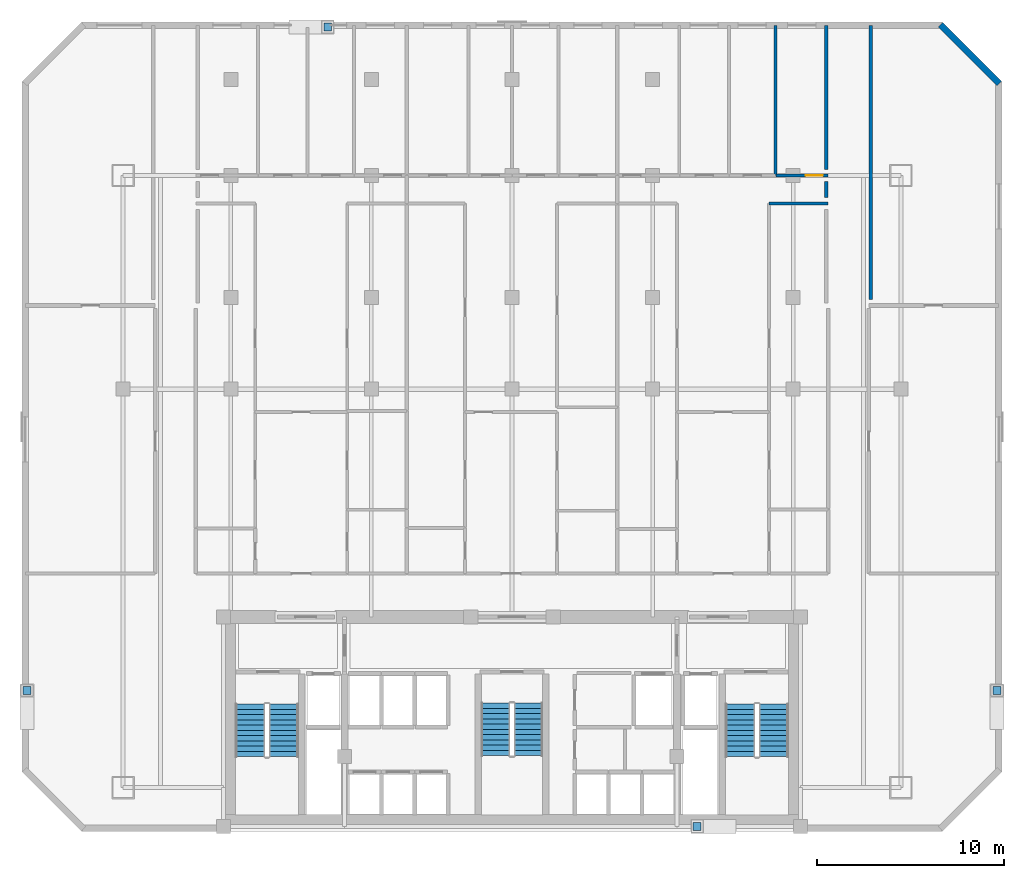
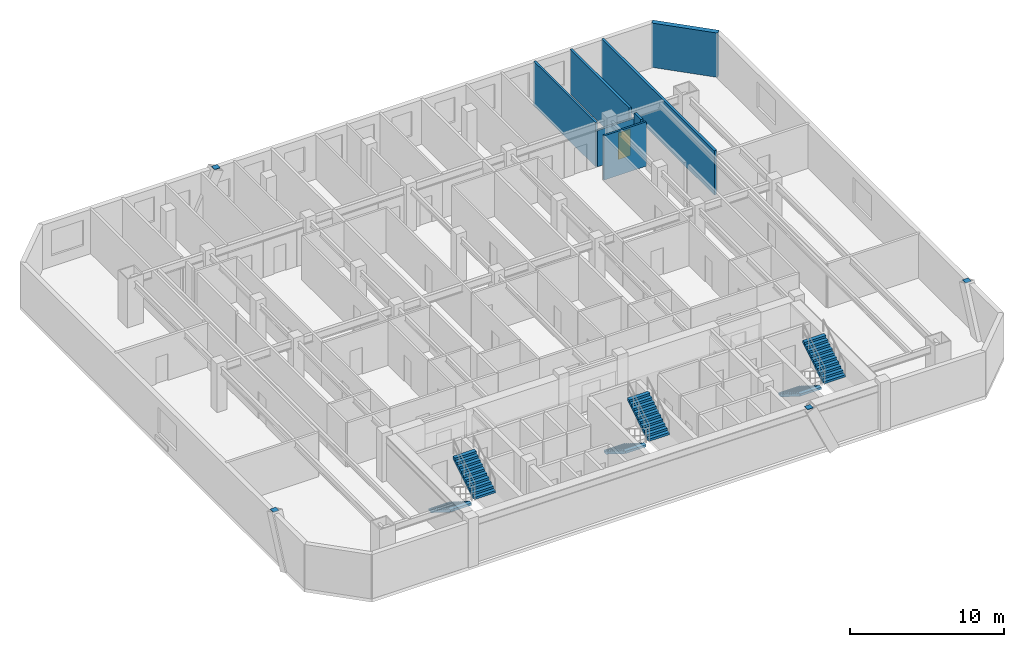
# One storey, part 7 of 8: 7 walls, 6 stair flights, 4 discrete accessories, 1 door, 1 opening, 3 elements without a shape of their own.
"""IFC4 building model written with IfcOpenShell, lengths in metres."""

from ifc_helpers import new_model, si_unit, direction, frame, frame_2d, origin, origin_2d, place, context, subcontext, project, spatial, polyline, rectangle, outline, extrude, material, layer, layer_set, type_object, element, fill, aggregate, save


model = new_model("IFC4")

# Units and contexts
model_context = context("Model", 3, precision=1e-05, world=origin(), true_north=direction((0.0, 1.0)))
body_context = subcontext(model_context, "Body", "Model", "MODEL_VIEW")
ifc_project = project(units=[si_unit("LENGTHUNIT", "METRE"), si_unit("AREAUNIT", "SQUARE_METRE"), si_unit("VOLUMEUNIT", "CUBIC_METRE"), si_unit("PLANEANGLEUNIT", "RADIAN"), si_unit("MASSUNIT", "GRAM", prefix="KILO")], contexts=[model_context])

# Site, building, storey
site_placement = place(None, origin())
site = spatial("IfcSite", under=ifc_project, at=site_placement, CompositionType="ELEMENT")
building_placement = place(site_placement, origin())
building = spatial("IfcBuilding", under=site, at=building_placement, Name="Ventersveld Concourse Tower", CompositionType="ELEMENT")
storey_placement = place(building_placement, frame((0.0, 0.0, 131.10009765625)))
storey = spatial("IfcBuildingStorey", under=building, at=storey_placement, Name="L32", CompositionType="ELEMENT", Elevation=131.10009765625)

# Walls
ifc_material_1 = material(Name="Fire-rated autoclaved aerated masonry blockwork", Category="masonry")
ifc_layer_1 = layer(ifc_material_1, 0.179931640625)
ifc_layer_set_1 = layer_set([ifc_layer_1], Name="Fire-rated autoclaved aerated masonry blockwork")
wall_type_1 = type_object("IfcWallType", Name="WL-CORR-180", PredefinedType="PARTITIONING", material=ifc_layer_set_1)
wall_1_placement = place(storey_placement, frame((47.8798828125, 28.39501953125, 0.0), z_axis=(0.0, 0.0, 1.0), x_axis=(0.0, 1.0, 0.0)))
element("IfcWall", 1, at=wall_1_placement, inside=storey, type_object=wall_type_1, Name="L32 Room Enclosure Wall SP-L32-NELNG2", PredefinedType="PARTITIONING", context=body_context, shape_type="SweptSolid", body=[
    extrude(rectangle(XDim=14.594970703125, YDim=0.179931640625, at=frame_2d((7.29736328125, 0.0))), origin(), (0.0, 0.0, 1.0), 3.5),
])
wall_2_placement = place(storey_placement, frame((45.52001953125, 34.675048828125, 0.0), z_axis=(0.0, 0.0, 1.0), x_axis=(0.0, -1.0, 0.0)))
element("IfcWall", 2, at=wall_2_placement, inside=storey, type_object=wall_type_1, Name="L32 Room Enclosure Wall SP-L32-32N3-LIV", PredefinedType="PARTITIONING", context=body_context, shape_type="SweptSolid", body=[
    extrude(rectangle(XDim=0.85009765625, YDim=0.179931640625, at=frame_2d((0.425048828125, 0.0))), origin(), (0.0, 0.0, 1.0), 3.5),
])
wall_3_placement = place(storey_placement, frame((45.52001953125, 42.989990234375, 0.0), z_axis=(0.0, 0.0, 1.0), x_axis=(0.0, -1.0, 0.0)))
element("IfcWall", 3, at=wall_3_placement, inside=storey, type_object=wall_type_1, Name="L32 Room Enclosure Wall SP-L32-32N3-BR4", PredefinedType="PARTITIONING", context=body_context, shape_type="SweptSolid", body=[
    extrude(rectangle(XDim=7.6650390625, YDim=0.179931640625, at=frame_2d((3.83251953125, 0.0))), origin(), (0.0, 0.0, 1.0), 3.5),
])
ifc_material_2 = material(Name="Autoclaved aerated masonry blockwork", Category="masonry")
ifc_layer_2 = layer(ifc_material_2, 0.14990234375)
ifc_layer_set_2 = layer_set([ifc_layer_2], Name="Autoclaved aerated masonry blockwork")
wall_type_2 = type_object("IfcWallType", Name="WL-INT-150", PredefinedType="PARTITIONING", material=ifc_layer_set_2)
wall_4_placement = place(storey_placement, frame((42.4619140625, 33.5, 0.0), z_axis=(0.0, 0.0, 1.0), x_axis=(1.0, 0.0, 0.0)))
element("IfcWall", 4, at=wall_4_placement, inside=storey, type_object=wall_type_2, Name="L32 Interior Partition SP-L32-32N3-LIV-SP-L32-32N3-DENR", PredefinedType="PARTITIONING", context=body_context, shape_type="SweptSolid", body=[
    extrude(rectangle(XDim=3.153076171875, YDim=0.14990234375, at=frame_2d((1.57666015625, 0.0))), origin(), (0.0, 0.0, 1.0), 3.5),
])

# Wall, opening, door
wall_5_placement = place(storey_placement, frame((42.8349609375, 35.0, 0.0), z_axis=(0.0, 0.0, 1.0), x_axis=(1.0, 0.0, 0.0)))
wall_5 = element("IfcWall", 5, at=wall_5_placement, inside=storey, type_object=wall_type_2, Name="L32 Interior Partition SP-L32-32N3-LIV-SP-L32-32N3-BR4", PredefinedType="PARTITIONING", context=body_context, shape_type="SweptSolid", body=[
    extrude(rectangle(XDim=2.780029296875, YDim=0.14990234375, at=frame_2d((1.39013671875, 0.0))), origin(), (0.0, 0.0, 1.0), 2.8828125),
])
opening_placement = place(wall_5_placement, frame((1.580078125, 0.0, 0.0)))
opening = element("IfcOpeningElement", 6, at=opening_placement, cuts=wall_5, Name="Opening ID1", PredefinedType="OPENING", context=body_context, shape_type="SweptSolid", body=[
    extrude(rectangle(XDim=0.919921875, YDim=2.10009765625, at=frame_2d((0.4599609375, 1.050048828125))), frame((0.0, 0.0849609375, 0.0), z_axis=(0.0, -1.0, 0.0), x_axis=(1.0, 0.0, 0.0)), (0.0, 0.0, 1.0), 0.169921875),
])
ifc_material_3 = material(Name="Solid-core hardwood veneer timber", Category="wood")
door_type = type_object("IfcDoorType", Name="DR-ROOM-092", OperationType="NOTDEFINED", PredefinedType="DOOR", material=ifc_material_3)
door_placement = place(opening_placement, origin())
door = element("IfcDoor", 7, at=door_placement, inside=storey, type_object=door_type, Name="L32 Interior Door SP-L32-32N3-LIV to SP-L32-32N3-BR4 (D-L32-1633)", OperationType="SINGLE_SWING_LEFT", OverallHeight=2.10009765625, OverallWidth=0.919921875, PredefinedType="DOOR", context=body_context, shape_type="SweptSolid", body=[
    extrude(rectangle(XDim=0.919921875, YDim=2.10009765625, at=frame_2d((0.4599609375, 1.050048828125))), frame((0.0, 0.02490234375, 0.0), z_axis=(0.0, -1.0, 0.0), x_axis=(1.0, 0.0, 0.0)), (0.0, 0.0, 1.0), 0.050048828125),
])
fill(opening, door)

# Walls
wall_6_placement = place(storey_placement, frame((42.800048828125, 34.9951171875, 0.0), z_axis=(0.0, 0.0, 1.0), x_axis=(0.0, 1.0, 0.0)))
element("IfcWall", 8, at=wall_6_placement, inside=storey, type_object=wall_type_2, Name="L32 Interior Partition SP-L32-32N3-BR3-SP-L32-32N3-BR4", PredefinedType="PARTITIONING", context=body_context, shape_type="SweptSolid", body=[
    extrude(rectangle(XDim=7.994873046875, YDim=0.14990234375, at=frame_2d((3.99755859375, 0.0))), origin(), (0.0, 0.0, 1.0), 3.5),
])
ifc_material_4 = material(Name="Precast concrete C45/55", Category="concrete")
ifc_layer_3 = layer(ifc_material_4, 0.35009765625)
ifc_layer_set_3 = layer_set([ifc_layer_3], Name="Precast concrete C45/55")
wall_type_3 = type_object("IfcWallType", Name="WL-PREC-350", PredefinedType="SOLIDWALL", material=ifc_layer_set_3)
wall_7_placement = place(storey_placement, frame((54.748046875, 39.904541015625, 0.0), z_axis=(0.0, 0.0, 1.0), x_axis=(-0.707106781187, 0.707106781187, 0.0)))
element("IfcWall", 9, at=wall_7_placement, inside=storey, type_object=wall_type_3, Name="L32 Highveld Precast Facade Wall E04", PredefinedType="SOLIDWALL", context=body_context, shape_type="SweptSolid", body=[
    extrude(rectangle(XDim=4.445556640625, YDim=0.35009765625, at=frame_2d((2.22265625, 0.0))), origin(), (0.0, 0.0, 1.0), 3.5),
])

# Stair, stair flights
ifc_material_5 = material(Name="Concrete C50/60", Category="concrete")
stair_type_1 = type_object("IfcStairType", Name="ST-DOG-155", PredefinedType="HALF_TURN_STAIR", material=ifc_material_5)
stair_1_placement = place(storey_placement, origin())
stair_1 = element("IfcStair", 10, at=stair_1_placement, inside=storey, type_object=stair_type_1, Name="L32 Protected Central Core Escape Stair ST-03", PredefinedType="HALF_TURN_STAIR")
stair_flight_type_1 = type_object("IfcStairFlightType", Name="STF-RC-155", PredefinedType="STRAIGHT", material=ifc_material_5)
stair_flight_1_placement = place(storey_placement, frame((27.875, 6.85009765625, 0.0), z_axis=(0.0, 0.0, 1.0), x_axis=(0.0, -1.0, 0.0)))
stair_flight_1 = element("IfcStairFlight", 11, at=stair_flight_1_placement, type_object=stair_flight_type_1, Name="ST-03 flight 1", NumberOfRisers=11, NumberOfTreads=10, PredefinedType="STRAIGHT", RiserHeight=0.175, TreadLength=0.28, context=body_context, shape_type="SweptSolid", body=[
    extrude(outline(polyline([(0.0, 0.0), (0.0, 0.175048828125), (0.280029296875, 0.175048828125), (0.280029296875, 0.35009765625), (0.56005859375, 0.35009765625), (0.56005859375, 0.52490234375), (0.840087890625, 0.52490234375), (0.840087890625, 0.699951171875), (1.1201171875, 0.699951171875), (1.1201171875, 0.875), (1.39990234375, 0.875), (1.39990234375, 1.050048828125), (1.679931640625, 1.050048828125), (1.679931640625, 1.22509765625), (1.9599609375, 1.22509765625), (1.9599609375, 1.39990234375), (2.239990234375, 1.39990234375), (2.239990234375, 1.574951171875), (2.52001953125, 1.574951171875), (2.52001953125, 1.75), (2.800048828125, 1.75), (2.800048828125, 1.925048828125), (2.800048828125, 1.5732421875), (0.28271484375, 0.0), (0.0, 0.0)])), frame((0.0, 0.77490234375, 0.0), z_axis=(0.0, -1.0, 0.0), x_axis=(1.0, 0.0, 0.0)), (0.0, 0.0, 1.0), 1.550048828125),
])
stair_flight_2_placement = place(storey_placement, frame((29.625, 4.050048828125, 1.9248046875), z_axis=(0.0, 0.0, 1.0), x_axis=(0.0, 1.0, 0.0)))
stair_flight_2 = element("IfcStairFlight", 12, at=stair_flight_2_placement, type_object=stair_flight_type_1, Name="ST-03 flight 2", NumberOfRisers=11, NumberOfTreads=10, PredefinedType="STRAIGHT", RiserHeight=0.175, TreadLength=0.28, context=body_context, shape_type="SweptSolid", body=[
    extrude(outline(polyline([(0.0, 0.0), (0.0, 0.175048828125), (0.280029296875, 0.175048828125), (0.280029296875, 0.35009765625), (0.56005859375, 0.35009765625), (0.56005859375, 0.52490234375), (0.840087890625, 0.52490234375), (0.840087890625, 0.699951171875), (1.1201171875, 0.699951171875), (1.1201171875, 0.875), (1.39990234375, 0.875), (1.39990234375, 1.050048828125), (1.679931640625, 1.050048828125), (1.679931640625, 1.22509765625), (1.9599609375, 1.22509765625), (1.9599609375, 1.39990234375), (2.239990234375, 1.39990234375), (2.239990234375, 1.574951171875), (2.52001953125, 1.574951171875), (2.52001953125, 1.75), (2.800048828125, 1.75), (2.800048828125, 1.925048828125), (2.800048828125, 1.5732421875), (0.28271484375, 0.0), (0.0, 0.0)])), frame((0.0, 0.77490234375, 0.0), z_axis=(0.0, -1.0, 0.0), x_axis=(1.0, 0.0, 0.0)), (0.0, 0.0, 1.0), 1.550048828125),
])
aggregate(stair_1, [stair_flight_1, stair_flight_2])

stair_type_2 = type_object("IfcStairType", Name="ST-DOG-160", PredefinedType="HALF_TURN_STAIR", material=ifc_material_5)
stair_2_placement = place(storey_placement, origin())
stair_2 = element("IfcStair", 13, at=stair_2_placement, inside=storey, type_object=stair_type_2, Name="L32 Protected Tower Escape Stair ST-01", PredefinedType="HALF_TURN_STAIR")
stair_flight_type_2 = type_object("IfcStairFlightType", Name="STF-RC-160", PredefinedType="STRAIGHT", material=ifc_material_5)
stair_flight_3_placement = place(storey_placement, frame((14.780029296875, 6.800048828125, 0.0), z_axis=(0.0, 0.0, 1.0), x_axis=(0.0, -1.0, 0.0)))
stair_flight_3 = element("IfcStairFlight", 14, at=stair_flight_3_placement, type_object=stair_flight_type_2, Name="ST-01 flight 1", NumberOfRisers=11, NumberOfTreads=10, PredefinedType="STRAIGHT", RiserHeight=0.175, TreadLength=0.28, context=body_context, shape_type="SweptSolid", body=[
    extrude(outline(polyline([(0.0, 0.0), (0.0, 0.175048828125), (0.280029296875, 0.175048828125), (0.280029296875, 0.35009765625), (0.56005859375, 0.35009765625), (0.56005859375, 0.52490234375), (0.840087890625, 0.52490234375), (0.840087890625, 0.699951171875), (1.1201171875, 0.699951171875), (1.1201171875, 0.875), (1.39990234375, 0.875), (1.39990234375, 1.050048828125), (1.679931640625, 1.050048828125), (1.679931640625, 1.22509765625), (1.9599609375, 1.22509765625), (1.9599609375, 1.39990234375), (2.239990234375, 1.39990234375), (2.239990234375, 1.574951171875), (2.52001953125, 1.574951171875), (2.52001953125, 1.75), (2.800048828125, 1.75), (2.800048828125, 1.925048828125), (2.800048828125, 1.5732421875), (0.28271484375, 0.0), (0.0, 0.0)])), frame((0.0, 0.800048828125, 0.0), z_axis=(0.0, -1.0, 0.0), x_axis=(1.0, 0.0, 0.0)), (0.0, 0.0, 1.0), 1.60009765625),
])
stair_flight_4_placement = place(storey_placement, frame((16.580078125, 4.0, 1.9248046875), z_axis=(0.0, 0.0, 1.0), x_axis=(0.0, 1.0, 0.0)))
stair_flight_4 = element("IfcStairFlight", 15, at=stair_flight_4_placement, type_object=stair_flight_type_2, Name="ST-01 flight 2", NumberOfRisers=11, NumberOfTreads=10, PredefinedType="STRAIGHT", RiserHeight=0.175, TreadLength=0.28, context=body_context, shape_type="SweptSolid", body=[
    extrude(outline(polyline([(0.0, 0.0), (0.0, 0.175048828125), (0.280029296875, 0.175048828125), (0.280029296875, 0.35009765625), (0.56005859375, 0.35009765625), (0.56005859375, 0.52490234375), (0.840087890625, 0.52490234375), (0.840087890625, 0.699951171875), (1.1201171875, 0.699951171875), (1.1201171875, 0.875), (1.39990234375, 0.875), (1.39990234375, 1.050048828125), (1.679931640625, 1.050048828125), (1.679931640625, 1.22509765625), (1.9599609375, 1.22509765625), (1.9599609375, 1.39990234375), (2.239990234375, 1.39990234375), (2.239990234375, 1.574951171875), (2.52001953125, 1.574951171875), (2.52001953125, 1.75), (2.800048828125, 1.75), (2.800048828125, 1.925048828125), (2.800048828125, 1.5732421875), (0.28271484375, 0.0), (0.0, 0.0)])), frame((0.0, 0.800048828125, 0.0), z_axis=(0.0, -1.0, 0.0), x_axis=(1.0, 0.0, 0.0)), (0.0, 0.0, 1.0), 1.60009765625),
])
aggregate(stair_2, [stair_flight_3, stair_flight_4])

stair_3_placement = place(storey_placement, origin())
stair_3 = element("IfcStair", 16, at=stair_3_placement, inside=storey, type_object=stair_type_2, Name="L32 Protected Tower Escape Stair ST-02", PredefinedType="HALF_TURN_STAIR")
stair_flight_5_placement = place(storey_placement, frame((40.919921875, 6.800048828125, 0.0), z_axis=(0.0, 0.0, 1.0), x_axis=(0.0, -1.0, 0.0)))
stair_flight_5 = element("IfcStairFlight", 17, at=stair_flight_5_placement, type_object=stair_flight_type_2, Name="ST-02 flight 1", NumberOfRisers=11, NumberOfTreads=10, PredefinedType="STRAIGHT", RiserHeight=0.175, TreadLength=0.28, context=body_context, shape_type="SweptSolid", body=[
    extrude(outline(polyline([(0.0, 0.0), (0.0, 0.175048828125), (0.280029296875, 0.175048828125), (0.280029296875, 0.35009765625), (0.56005859375, 0.35009765625), (0.56005859375, 0.52490234375), (0.840087890625, 0.52490234375), (0.840087890625, 0.699951171875), (1.1201171875, 0.699951171875), (1.1201171875, 0.875), (1.39990234375, 0.875), (1.39990234375, 1.050048828125), (1.679931640625, 1.050048828125), (1.679931640625, 1.22509765625), (1.9599609375, 1.22509765625), (1.9599609375, 1.39990234375), (2.239990234375, 1.39990234375), (2.239990234375, 1.574951171875), (2.52001953125, 1.574951171875), (2.52001953125, 1.75), (2.800048828125, 1.75), (2.800048828125, 1.925048828125), (2.800048828125, 1.5732421875), (0.28271484375, 0.0), (0.0, 0.0)])), frame((0.0, 0.800048828125, 0.0), z_axis=(0.0, -1.0, 0.0), x_axis=(1.0, 0.0, 0.0)), (0.0, 0.0, 1.0), 1.60009765625),
])
stair_flight_6_placement = place(storey_placement, frame((42.719970703125, 4.0, 1.9248046875), z_axis=(0.0, 0.0, 1.0), x_axis=(0.0, 1.0, 0.0)))
stair_flight_6 = element("IfcStairFlight", 18, at=stair_flight_6_placement, type_object=stair_flight_type_2, Name="ST-02 flight 2", NumberOfRisers=11, NumberOfTreads=10, PredefinedType="STRAIGHT", RiserHeight=0.175, TreadLength=0.28, context=body_context, shape_type="SweptSolid", body=[
    extrude(outline(polyline([(0.0, 0.0), (0.0, 0.175048828125), (0.280029296875, 0.175048828125), (0.280029296875, 0.35009765625), (0.56005859375, 0.35009765625), (0.56005859375, 0.52490234375), (0.840087890625, 0.52490234375), (0.840087890625, 0.699951171875), (1.1201171875, 0.699951171875), (1.1201171875, 0.875), (1.39990234375, 0.875), (1.39990234375, 1.050048828125), (1.679931640625, 1.050048828125), (1.679931640625, 1.22509765625), (1.9599609375, 1.22509765625), (1.9599609375, 1.39990234375), (2.239990234375, 1.39990234375), (2.239990234375, 1.574951171875), (2.52001953125, 1.574951171875), (2.52001953125, 1.75), (2.800048828125, 1.75), (2.800048828125, 1.925048828125), (2.800048828125, 1.5732421875), (0.28271484375, 0.0), (0.0, 0.0)])), frame((0.0, 0.800048828125, 0.0), z_axis=(0.0, -1.0, 0.0), x_axis=(1.0, 0.0, 0.0)), (0.0, 0.0, 1.0), 1.60009765625),
])
aggregate(stair_3, [stair_flight_5, stair_flight_6])

# Discrete accessories
ifc_material_6 = material(Name="Structural steel S355J2", Category="steel")
discrete_accessory_type = type_object("IfcDiscreteAccessoryType", Name="CONN-BRACE-ECP1", PredefinedType="BRACKET", material=ifc_material_6)
for number, where, z_axis, x_axis, name in (
    (19, (18.921630859375, 42.919921875, 3.47998046875), (0.0, 0.0, 1.0), (1.0, 0.0, 0.0), "L32 Steel Brace End Connection Plate ECP1-0302"),
    (20, (38.62841796875, 0.280029296875, 3.47998046875), (0.0, 0.0, 1.0), (1.0, 0.0, 0.0), "L32 Steel Brace End Connection Plate ECP1-0306"),
    (21, (2.8798828125, 7.521484375, 3.47998046875), (0.0, 0.0, 1.0), (1.0, 0.0, 0.0), "L32 Steel Brace End Connection Plate ECP1-0310"),
    (22, (54.6201171875, 7.521484375, 3.47998046875), (0.0, 0.0, 1.0), (1.0, 0.0, 0.0), "L32 Steel Brace End Connection Plate ECP1-0314"),
):
    element("IfcDiscreteAccessory", number, at=place(storey_placement, frame(where, z_axis=z_axis, x_axis=x_axis)), inside=storey, type_object=discrete_accessory_type, Name=name, PredefinedType="BRACKET", context=body_context, shape_type="SweptSolid", body=[
        extrude(rectangle(XDim=0.419921875, YDim=0.419921875, at=origin_2d()), origin(), (0.0, 0.0, 1.0), 0.0400390625),
    ])

save(model, "model.ifc")
